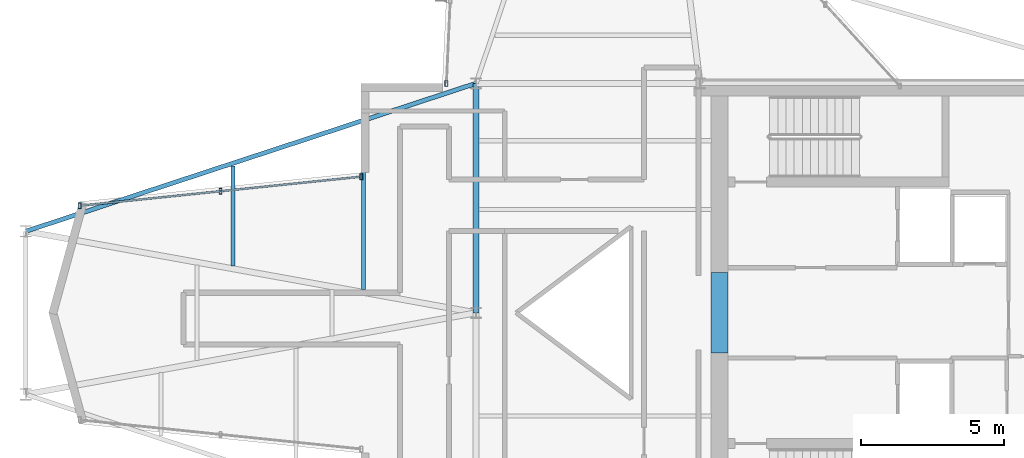
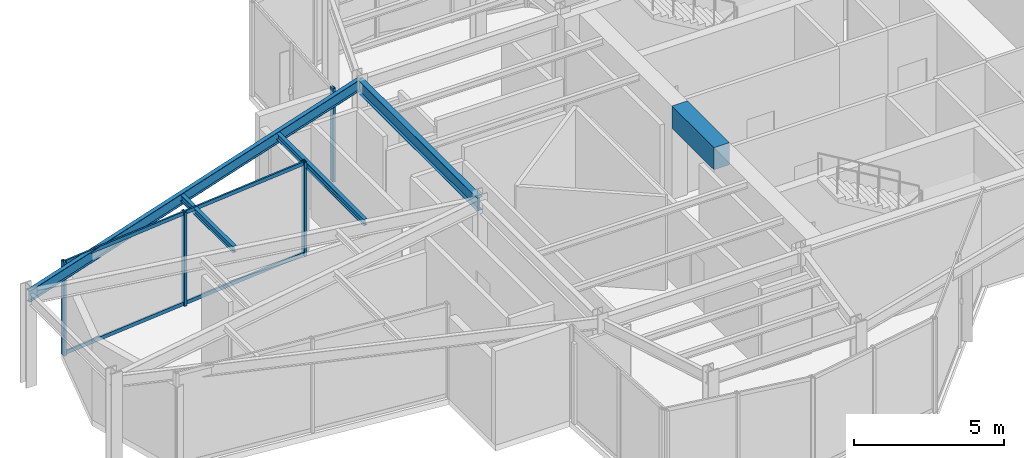
# One storey, part 4 of 13: 6 members, 5 beams, 2 elements without a shape of their own.
"""IFC4 building model written with IfcOpenShell, lengths in metres."""

from ifc_helpers import new_model, si_unit, direction, frame, origin, origin_2d, place, context, subcontext, project, spatial, rectangle, hollow_rectangle, i_section, extrude, material, layer, layer_set, material_profile, profile_set, type_object, element, aggregate, save


model = new_model("IFC4")

# Units and contexts
model_context = context("Model", 3, precision=1e-05, world=origin(), true_north=direction((0.0, 1.0)))
body_context = subcontext(model_context, "Body", "Model", "MODEL_VIEW")
ifc_project = project(units=[si_unit("LENGTHUNIT", "METRE"), si_unit("AREAUNIT", "SQUARE_METRE"), si_unit("VOLUMEUNIT", "CUBIC_METRE"), si_unit("PLANEANGLEUNIT", "RADIAN"), si_unit("MASSUNIT", "GRAM", prefix="KILO")], contexts=[model_context])

# Site, building, storey
site_placement = place(None, origin())
site = spatial("IfcSite", under=ifc_project, at=site_placement, CompositionType="ELEMENT")
building_placement = place(site_placement, origin())
building = spatial("IfcBuilding", under=site, at=building_placement, Name="Veymaron Broadcast Tower", CompositionType="ELEMENT")
storey_placement = place(building_placement, frame((0.0, 0.0, 279.0)))
storey = spatial("IfcBuildingStorey", under=building, at=storey_placement, Name="L65", CompositionType="ELEMENT", Elevation=279.0)

# Beams
ifc_material_1 = material(Name="Concrete C60/75", Category="concrete")
ifc_material_profile_1 = material_profile(ifc_material_1, rectangle(XDim=0.60009765625, YDim=0.89990234375, at=origin_2d()), Name="RC600X900")
ifc_profile_set_1 = profile_set([ifc_material_profile_1], Name="Concrete C60/75")
beam_type_1 = type_object("IfcBeamType", Name="BM-CB2", PredefinedType="LINTEL", material=ifc_profile_set_1)
beam_1_placement = place(storey_placement, frame((39.679931640625, 22.60009765625, 3.360107421875), z_axis=(0.0, 1.0, 0.0), x_axis=(-1.0, 0.0, 0.0)))
element("IfcBeam", 1, at=beam_1_placement, inside=storey, type_object=beam_type_1, Name="L65 Core Wall west coupling beam", PredefinedType="LINTEL", context=body_context, shape_type="SweptSolid", body=[
    extrude(rectangle(XDim=0.60009765625, YDim=0.89990234375, at=origin_2d()), origin(), (0.0, 0.0, 1.0), 2.7998046875),
])
ifc_material_2 = material(Name="Structural steel ASTM A992 Gr 50", Category="steel")
ifc_material_profile_2 = material_profile(ifc_material_2, i_section(OverallWidth=0.208984375, OverallDepth=0.528076171875, WebThickness=0.009521484375, FlangeThickness=0.01318359375, at=origin_2d()), Name="W530X82")
ifc_profile_set_2 = profile_set([ifc_material_profile_2], Name="Structural steel ASTM A992 Gr 50")
beam_type_2 = type_object("IfcBeamType", Name="BM-FG4", PredefinedType="BEAM", material=ifc_profile_set_2)
beam_2_placement = place(storey_placement, frame((31.199951171875, 24.0, 3.5458984375), z_axis=(0.0, 1.0, 0.0), x_axis=(-1.0, 0.0, 0.0)))
element("IfcBeam", 2, at=beam_2_placement, inside=storey, type_object=beam_type_2, Name="L65 primary structural floor girder", PredefinedType="BEAM", context=body_context, shape_type="SweptSolid", body=[
    extrude(i_section(OverallWidth=0.208984375, OverallDepth=0.528076171875, WebThickness=0.009521484375, FlangeThickness=0.01318359375, at=origin_2d()), origin(), (0.0, 0.0, 1.0), 8.0),
])
ifc_material_profile_3 = material_profile(ifc_material_2, i_section(OverallWidth=0.14599609375, OverallDepth=0.258056640625, WebThickness=0.006103515625, FlangeThickness=0.009033203125, at=origin_2d()), Name="W250X33")
ifc_profile_set_3 = profile_set([ifc_material_profile_3], Name="Structural steel ASTM A992 Gr 50")
beam_type_3 = type_object("IfcBeamType", Name="BM-JS4", PredefinedType="JOIST", material=ifc_profile_set_3)
beam_3_placement = place(storey_placement, frame((22.72216796875, 25.634765625, 3.680908203125), z_axis=(0.0, 1.0, 0.0), x_axis=(-1.0, 0.0, 0.0)))
element("IfcBeam", 3, at=beam_3_placement, inside=storey, type_object=beam_type_3, Name="L65 Arm-A secondary joist 1N", PredefinedType="JOIST", context=body_context, shape_type="SweptSolid", body=[
    extrude(i_section(OverallWidth=0.14599609375, OverallDepth=0.258056640625, WebThickness=0.006103515625, FlangeThickness=0.009033203125, at=origin_2d()), origin(), (0.0, 0.0, 1.0), 3.47998046875),
])
beam_4_placement = place(storey_placement, frame((27.275146484375, 24.810546875, 3.680908203125), z_axis=(0.0, 1.0, 0.0), x_axis=(-1.0, 0.0, 0.0)))
element("IfcBeam", 4, at=beam_4_placement, inside=storey, type_object=beam_type_3, Name="L65 Arm-A secondary joist 2N", PredefinedType="JOIST", context=body_context, shape_type="SweptSolid", body=[
    extrude(i_section(OverallWidth=0.14599609375, OverallDepth=0.258056640625, WebThickness=0.006103515625, FlangeThickness=0.009033203125, at=origin_2d()), origin(), (0.0, 0.0, 1.0), 5.800048828125),
])
ifc_material_profile_4 = material_profile(ifc_material_2, i_section(OverallWidth=0.154052734375, OverallDepth=0.458984375, WebThickness=0.009033203125, FlangeThickness=0.015380859375, at=origin_2d()), Name="W460X68")
ifc_profile_set_4 = profile_set([ifc_material_profile_4], Name="Structural steel ASTM A992 Gr 50")
beam_type_4 = type_object("IfcBeamType", Name="BM-SP2", PredefinedType="SPANDREL", material=ifc_profile_set_4)
beam_5_placement = place(storey_placement, frame((15.50048828125, 26.842041015625, 3.58056640625), z_axis=(0.950039572492, 0.31212947746, 0.0), x_axis=(-0.31212947746, 0.950039572492, 0.0)))
element("IfcBeam", 5, at=beam_5_placement, inside=storey, type_object=beam_type_4, Name="L65 primary structural floor girder", PredefinedType="SPANDREL", context=body_context, shape_type="SweptSolid", body=[
    extrude(i_section(OverallWidth=0.154052734375, OverallDepth=0.458984375, WebThickness=0.009033203125, FlangeThickness=0.015380859375, at=origin_2d()), origin(), (0.0, 0.0, 1.0), 16.525146484375),
])

# Curtain wall, member
ifc_material_3 = material(Name="Anodised aluminium AA 6063-T6 and laminated low-E dark glass", Category="aluminium")
ifc_layer = layer(ifc_material_3, 0.179931640625)
ifc_layer_set = layer_set([ifc_layer], Name="Anodised aluminium AA 6063-T6 and laminated low-E dark glass")
curtain_wall_type = type_object("IfcCurtainWallType", Name="CW-SYS-06", PredefinedType="NOTDEFINED", material=ifc_layer_set)
curtain_wall_1_placement = place(storey_placement, origin())
curtain_wall_1 = element("IfcCurtainWall", 6, at=curtain_wall_1_placement, inside=storey, type_object=curtain_wall_type, Name="L65 dark-glass curtain wall CW-L65-E8-1", PredefinedType="NOTDEFINED")
ifc_material_4 = material(Name="Anodised aluminium AA 6063-T6", Category="aluminium")
ifc_material_profile_5 = material_profile(ifc_material_4, hollow_rectangle(XDim=0.10009765625, YDim=0.199951171875, WallThickness=0.010009765625, at=origin_2d()), Name="RHS200X100X10")
ifc_profile_set_5 = profile_set([ifc_material_profile_5], Name="Anodised aluminium AA 6063-T6")
member_type_1 = type_object("IfcMemberType", Name="CW-MUL-01", PredefinedType="MULLION", material=ifc_profile_set_5)
member_1_placement = place(storey_placement, frame((30.161865234375, 31.99365234375, 0.0), z_axis=(0.0, 0.0, 1.0), x_axis=(1.0, 0.0, 0.0)))
member_1 = element("IfcMember", 7, at=member_1_placement, type_object=member_type_1, Name="CW-L65-E8-1 mullion 2", PredefinedType="MULLION", context=body_context, shape_type="SweptSolid", body=[
    extrude(hollow_rectangle(XDim=0.10009765625, YDim=0.199951171875, WallThickness=0.010009765625, at=origin_2d()), origin(), (0.0, 0.0, 1.0), 3.81005859375),
])
aggregate(curtain_wall_1, [member_1])

# Curtain wall, members
curtain_wall_2_placement = place(storey_placement, origin())
curtain_wall_2 = element("IfcCurtainWall", 8, at=curtain_wall_2_placement, inside=storey, type_object=curtain_wall_type, Name="L65 dark-glass curtain wall CW-L65-E11-1", PredefinedType="NOTDEFINED")
member_2_placement = place(storey_placement, frame((27.199951171875, 28.74658203125, 0.0), z_axis=(0.0, 0.0, 1.0), x_axis=(1.0, 0.0, 0.0)))
member_2 = element("IfcMember", 9, at=member_2_placement, type_object=member_type_1, Name="CW-L65-E11-1 mullion 0", PredefinedType="MULLION", context=body_context, shape_type="SweptSolid", body=[
    extrude(hollow_rectangle(XDim=0.10009765625, YDim=0.199951171875, WallThickness=0.010009765625, at=origin_2d()), origin(), (0.0, 0.0, 1.0), 3.81005859375),
])
member_3_placement = place(storey_placement, frame((22.287109375, 28.239013671875, 0.0), z_axis=(0.0, 0.0, 1.0), x_axis=(1.0, 0.0, 0.0)))
member_3 = element("IfcMember", 10, at=member_3_placement, type_object=member_type_1, Name="CW-L65-E11-1 mullion 1", PredefinedType="MULLION", context=body_context, shape_type="SweptSolid", body=[
    extrude(hollow_rectangle(XDim=0.10009765625, YDim=0.199951171875, WallThickness=0.010009765625, at=origin_2d()), origin(), (0.0, 0.0, 1.0), 3.81005859375),
])
member_4_placement = place(storey_placement, frame((17.37451171875, 27.731201171875, 0.0), z_axis=(0.0, 0.0, 1.0), x_axis=(1.0, 0.0, 0.0)))
member_4 = element("IfcMember", 11, at=member_4_placement, type_object=member_type_1, Name="CW-L65-E11-1 mullion 2", PredefinedType="MULLION", context=body_context, shape_type="SweptSolid", body=[
    extrude(hollow_rectangle(XDim=0.10009765625, YDim=0.199951171875, WallThickness=0.010009765625, at=origin_2d()), origin(), (0.0, 0.0, 1.0), 3.81005859375),
])
ifc_material_profile_6 = material_profile(ifc_material_4, hollow_rectangle(XDim=0.06494140625, YDim=0.14990234375, WallThickness=0.00390625, at=origin_2d()), Name="AL150X65X4")
ifc_profile_set_6 = profile_set([ifc_material_profile_6], Name="Anodised aluminium AA 6063-T6")
member_type_2 = type_object("IfcMemberType", Name="CW-TRN-01", PredefinedType="USERDEFINED", material=ifc_profile_set_6)
member_5_placement = place(storey_placement, frame((27.150390625, 28.74169921875, 0.070068359375), z_axis=(-0.994700162158, -0.10281822505, 0.0), x_axis=(0.10281822505, -0.994700162158, 0.0)))
member_5 = element("IfcMember", 12, at=member_5_placement, type_object=member_type_2, Name="CW-L65-E11-1 transom B", ObjectType="TRANSOM", PredefinedType="USERDEFINED", context=body_context, shape_type="SweptSolid", body=[
    extrude(hollow_rectangle(XDim=0.06494140625, YDim=0.14990234375, WallThickness=0.00390625, at=origin_2d()), origin(), (0.0, 0.0, 1.0), 9.778076171875),
])
member_6_placement = place(storey_placement, frame((27.150390625, 28.74169921875, 3.739990234375), z_axis=(-0.994700162158, -0.10281822505, 0.0), x_axis=(0.10281822505, -0.994700162158, 0.0)))
member_6 = element("IfcMember", 13, at=member_6_placement, type_object=member_type_2, Name="CW-L65-E11-1 transom T", ObjectType="TRANSOM", PredefinedType="USERDEFINED", context=body_context, shape_type="SweptSolid", body=[
    extrude(hollow_rectangle(XDim=0.06494140625, YDim=0.14990234375, WallThickness=0.00390625, at=origin_2d()), origin(), (0.0, 0.0, 1.0), 9.778076171875),
])
aggregate(curtain_wall_2, [member_2, member_3, member_4, member_5, member_6])

save(model, "model.ifc")
